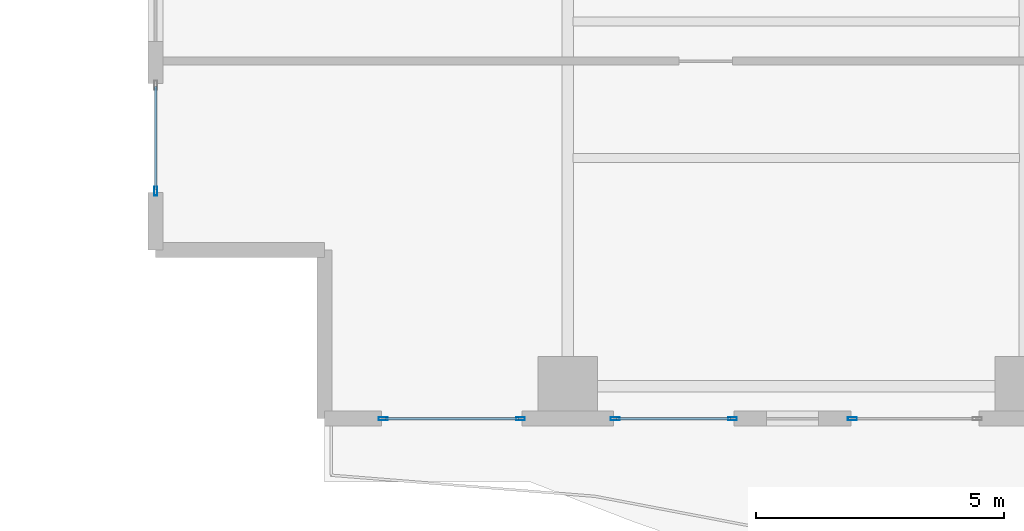
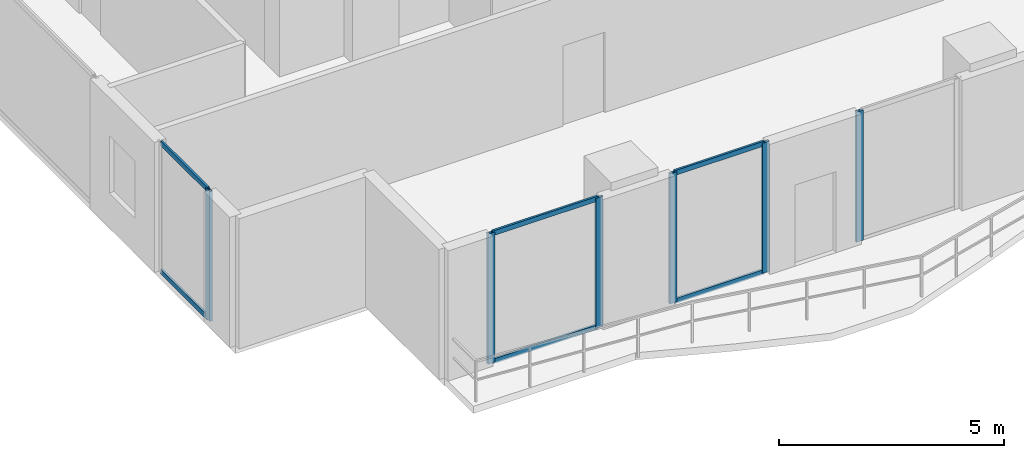
# One storey, part 2 of 32: 12 members, 4 elements without a shape of their own.
"""IFC4 building model written with IfcOpenShell, lengths in metres."""

from ifc_helpers import new_model, si_unit, direction, frame, origin, origin_2d, place, context, subcontext, project, spatial, hollow_rectangle, extrude, material, layer, layer_set, material_profile, profile_set, type_object, element, aggregate, save


model = new_model("IFC4")

# Units and contexts
model_context = context("Model", 3, precision=1e-05, world=origin(), true_north=direction((0.0, 1.0)))
body_context = subcontext(model_context, "Body", "Model", "MODEL_VIEW")
ifc_project = project(units=[si_unit("LENGTHUNIT", "METRE"), si_unit("AREAUNIT", "SQUARE_METRE"), si_unit("VOLUMEUNIT", "CUBIC_METRE"), si_unit("PLANEANGLEUNIT", "RADIAN"), si_unit("MASSUNIT", "GRAM", prefix="KILO")], contexts=[model_context])

# Site, building, storey
site_placement = place(None, origin())
site = spatial("IfcSite", under=ifc_project, at=site_placement, CompositionType="ELEMENT")
building_placement = place(site_placement, origin())
building = spatial("IfcBuilding", under=site, at=building_placement, Name="Zuhayl Quay Hotel", CompositionType="ELEMENT")
storey_placement = place(building_placement, frame((0.0, 0.0, 218.64990234375)))
storey = spatial("IfcBuildingStorey", under=building, at=storey_placement, Name="L55", CompositionType="ELEMENT", Elevation=218.64990234375)

# Curtain wall, member
ifc_material_1 = material(Name="Anodised Aluminium 6063-T6", Category="aluminium")
ifc_layer = layer(ifc_material_1, 0.175048828125, Name="Anodised Aluminium 6063-T6", Category="aluminium")
ifc_layer_set = layer_set([ifc_layer], Name="Anodised Aluminium 6063-T6")
curtain_wall_type = type_object("IfcCurtainWallType", Name="CW_SYS_Z3", PredefinedType="USERDEFINED", material=ifc_layer_set)
curtain_wall_1_placement = place(storey_placement, origin())
curtain_wall_1 = element("IfcCurtainWall", 1, at=curtain_wall_1_placement, inside=storey, type_object=curtain_wall_type, Name="L55 Curtain Wall ENV_L55_E02_CW1", ObjectType="UNITISED CURTAIN WALL", PredefinedType="USERDEFINED")
ifc_material_2 = material(Name="Black-anodised aluminium 6063-T6", Category="aluminium")
ifc_material_profile_1 = material_profile(ifc_material_2, hollow_rectangle(XDim=0.06494140625, YDim=0.179931640625, WallThickness=0.00341796875, at=origin_2d()), Name="ALU180X65")
ifc_profile_set_1 = profile_set([ifc_material_profile_1], Name="Black-anodised aluminium 6063-T6")
member_type_1 = type_object("IfcMemberType", Name="MB_CW_MUL_180", PredefinedType="MULLION", material=ifc_profile_set_1)
member_1_placement = place(storey_placement, frame((-22.10009765625, -3.017578125, 0.0), z_axis=(0.0, 0.0, 1.0), x_axis=(-1.0, 0.0, 0.0)))
member_1 = element("IfcMember", 2, at=member_1_placement, type_object=member_type_1, Name="CW-Z3 mullion 1", PredefinedType="MULLION", context=body_context, shape_type="SweptSolid", body=[
    extrude(hollow_rectangle(XDim=0.06494140625, YDim=0.179931640625, WallThickness=0.00341796875, at=origin_2d()), origin(), (0.0, 0.0, 1.0), 3.530029296875),
])

curtain_wall_2_placement = place(storey_placement, origin())
curtain_wall_2 = element("IfcCurtainWall", 3, at=curtain_wall_2_placement, inside=storey, type_object=curtain_wall_type, Name="L55 Curtain Wall ENV_L55_S_CW5", ObjectType="UNITISED CURTAIN WALL", PredefinedType="USERDEFINED")
member_2_placement = place(storey_placement, frame((-8.0673828125, -7.60009765625, 0.0), z_axis=(0.0, 0.0, 1.0), x_axis=(0.0, -1.0, 0.0)))
member_2 = element("IfcMember", 4, at=member_2_placement, type_object=member_type_1, Name="CW-Z3 mullion 2", PredefinedType="MULLION", context=body_context, shape_type="SweptSolid", body=[
    extrude(hollow_rectangle(XDim=0.06494140625, YDim=0.179931640625, WallThickness=0.00341796875, at=origin_2d()), origin(), (0.0, 0.0, 1.0), 3.530029296875),
])
aggregate(curtain_wall_2, [member_2])

# Curtain wall, members
curtain_wall_3_placement = place(storey_placement, origin())
curtain_wall_3 = element("IfcCurtainWall", 5, at=curtain_wall_3_placement, inside=storey, type_object=curtain_wall_type, Name="L55 Curtain Wall ENV_L55_S_CW6", ObjectType="UNITISED CURTAIN WALL", PredefinedType="USERDEFINED")
member_3_placement = place(storey_placement, frame((-10.482421875, -7.60009765625, 0.0), z_axis=(0.0, 0.0, 1.0), x_axis=(0.0, -1.0, 0.0)))
member_3 = element("IfcMember", 6, at=member_3_placement, type_object=member_type_1, Name="CW-Z3 mullion 1", PredefinedType="MULLION", context=body_context, shape_type="SweptSolid", body=[
    extrude(hollow_rectangle(XDim=0.06494140625, YDim=0.179931640625, WallThickness=0.00341796875, at=origin_2d()), origin(), (0.0, 0.0, 1.0), 3.530029296875),
])
member_4_placement = place(storey_placement, frame((-12.847412109375, -7.60009765625, 0.0), z_axis=(0.0, 0.0, 1.0), x_axis=(0.0, -1.0, 0.0)))
member_4 = element("IfcMember", 7, at=member_4_placement, type_object=member_type_1, Name="CW-Z3 mullion 2", PredefinedType="MULLION", context=body_context, shape_type="SweptSolid", body=[
    extrude(hollow_rectangle(XDim=0.06494140625, YDim=0.179931640625, WallThickness=0.00341796875, at=origin_2d()), origin(), (0.0, 0.0, 1.0), 3.530029296875),
])

curtain_wall_4_placement = place(storey_placement, origin())
curtain_wall_4 = element("IfcCurtainWall", 8, at=curtain_wall_4_placement, inside=storey, type_object=curtain_wall_type, Name="L55 Curtain Wall ENV_L55_S_CW7", ObjectType="UNITISED CURTAIN WALL", PredefinedType="USERDEFINED")
member_5_placement = place(storey_placement, frame((-14.75244140625, -7.60009765625, 0.0), z_axis=(0.0, 0.0, 1.0), x_axis=(0.0, -1.0, 0.0)))
member_5 = element("IfcMember", 9, at=member_5_placement, type_object=member_type_1, Name="CW-Z3 mullion 1", PredefinedType="MULLION", context=body_context, shape_type="SweptSolid", body=[
    extrude(hollow_rectangle(XDim=0.06494140625, YDim=0.179931640625, WallThickness=0.00341796875, at=origin_2d()), origin(), (0.0, 0.0, 1.0), 3.530029296875),
])
member_6_placement = place(storey_placement, frame((-17.517578125, -7.60009765625, 0.0), z_axis=(0.0, 0.0, 1.0), x_axis=(0.0, -1.0, 0.0)))
member_6 = element("IfcMember", 10, at=member_6_placement, type_object=member_type_1, Name="CW-Z3 mullion 2", PredefinedType="MULLION", context=body_context, shape_type="SweptSolid", body=[
    extrude(hollow_rectangle(XDim=0.06494140625, YDim=0.179931640625, WallThickness=0.00341796875, at=origin_2d()), origin(), (0.0, 0.0, 1.0), 3.530029296875),
])

# Member
ifc_material_profile_2 = material_profile(ifc_material_2, hollow_rectangle(XDim=0.054931640625, YDim=0.1298828125, WallThickness=0.0029296875, at=origin_2d()), Name="ALU130X55")
ifc_profile_set_2 = profile_set([ifc_material_profile_2], Name="Black-anodised aluminium 6063-T6")
member_type_2 = type_object("IfcMemberType", Name="MB_CW_TRN_130", PredefinedType="USERDEFINED", material=ifc_profile_set_2)
member_7_placement = place(storey_placement, frame((-22.10009765625, -2.985107421875, 0.027587890625), z_axis=(0.0, 1.0, 0.0), x_axis=(-1.0, 0.0, 0.0)))
member_7 = element("IfcMember", 11, at=member_7_placement, type_object=member_type_2, Name="CW-Z3 transom 1.1", ObjectType="TRANSOM", PredefinedType="USERDEFINED", context=body_context, shape_type="SweptSolid", body=[
    extrude(hollow_rectangle(XDim=0.054931640625, YDim=0.1298828125, WallThickness=0.0029296875, at=origin_2d()), origin(), (0.0, 0.0, 1.0), 2.070068359375),
])

member_8_placement = place(storey_placement, frame((-22.10009765625, -2.985107421875, 3.502685546875), z_axis=(0.0, 1.0, 0.0), x_axis=(-1.0, 0.0, 0.0)))
member_8 = element("IfcMember", 12, at=member_8_placement, type_object=member_type_2, Name="CW-Z3 transom 1.2", ObjectType="TRANSOM", PredefinedType="USERDEFINED", context=body_context, shape_type="SweptSolid", body=[
    extrude(hollow_rectangle(XDim=0.054931640625, YDim=0.1298828125, WallThickness=0.0029296875, at=origin_2d()), origin(), (0.0, 0.0, 1.0), 2.070068359375),
])

aggregate(curtain_wall_1, [member_1, member_7, member_8])

member_9_placement = place(storey_placement, frame((-10.514892578125, -7.60009765625, 0.027587890625), z_axis=(-1.0, 0.0, 0.0), x_axis=(0.0, -1.0, 0.0)))
member_9 = element("IfcMember", 13, at=member_9_placement, type_object=member_type_2, Name="CW-Z3 transom 1.1", ObjectType="TRANSOM", PredefinedType="USERDEFINED", context=body_context, shape_type="SweptSolid", body=[
    extrude(hollow_rectangle(XDim=0.054931640625, YDim=0.1298828125, WallThickness=0.0029296875, at=origin_2d()), origin(), (0.0, 0.0, 1.0), 2.300048828125),
])

member_10_placement = place(storey_placement, frame((-10.514892578125, -7.60009765625, 3.502685546875), z_axis=(-1.0, 0.0, 0.0), x_axis=(0.0, -1.0, 0.0)))
member_10 = element("IfcMember", 14, at=member_10_placement, type_object=member_type_2, Name="CW-Z3 transom 1.2", ObjectType="TRANSOM", PredefinedType="USERDEFINED", context=body_context, shape_type="SweptSolid", body=[
    extrude(hollow_rectangle(XDim=0.054931640625, YDim=0.1298828125, WallThickness=0.0029296875, at=origin_2d()), origin(), (0.0, 0.0, 1.0), 2.300048828125),
])

aggregate(curtain_wall_3, [member_3, member_4, member_9, member_10])

member_11_placement = place(storey_placement, frame((-14.784912109375, -7.60009765625, 0.027587890625), z_axis=(-1.0, 0.0, 0.0), x_axis=(0.0, -1.0, 0.0)))
member_11 = element("IfcMember", 15, at=member_11_placement, type_object=member_type_2, Name="CW-Z3 transom 1.1", ObjectType="TRANSOM", PredefinedType="USERDEFINED", context=body_context, shape_type="SweptSolid", body=[
    extrude(hollow_rectangle(XDim=0.054931640625, YDim=0.1298828125, WallThickness=0.0029296875, at=origin_2d()), origin(), (0.0, 0.0, 1.0), 2.7001953125),
])

member_12_placement = place(storey_placement, frame((-14.784912109375, -7.60009765625, 3.502685546875), z_axis=(-1.0, 0.0, 0.0), x_axis=(0.0, -1.0, 0.0)))
member_12 = element("IfcMember", 16, at=member_12_placement, type_object=member_type_2, Name="CW-Z3 transom 1.2", ObjectType="TRANSOM", PredefinedType="USERDEFINED", context=body_context, shape_type="SweptSolid", body=[
    extrude(hollow_rectangle(XDim=0.054931640625, YDim=0.1298828125, WallThickness=0.0029296875, at=origin_2d()), origin(), (0.0, 0.0, 1.0), 2.7001953125),
])

aggregate(curtain_wall_4, [member_5, member_6, member_11, member_12])

save(model, "model.ifc")
